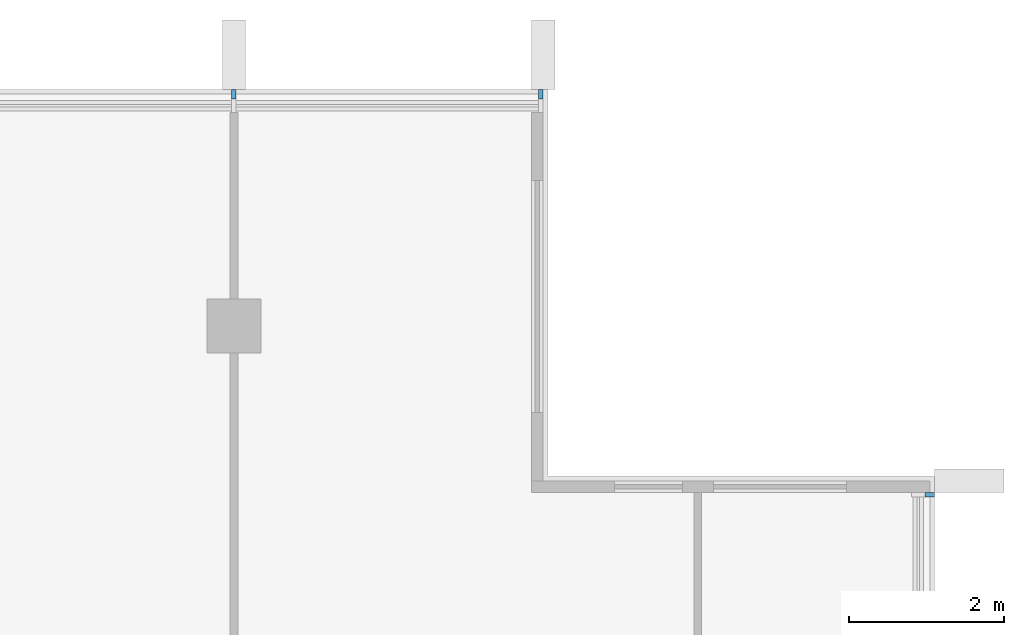
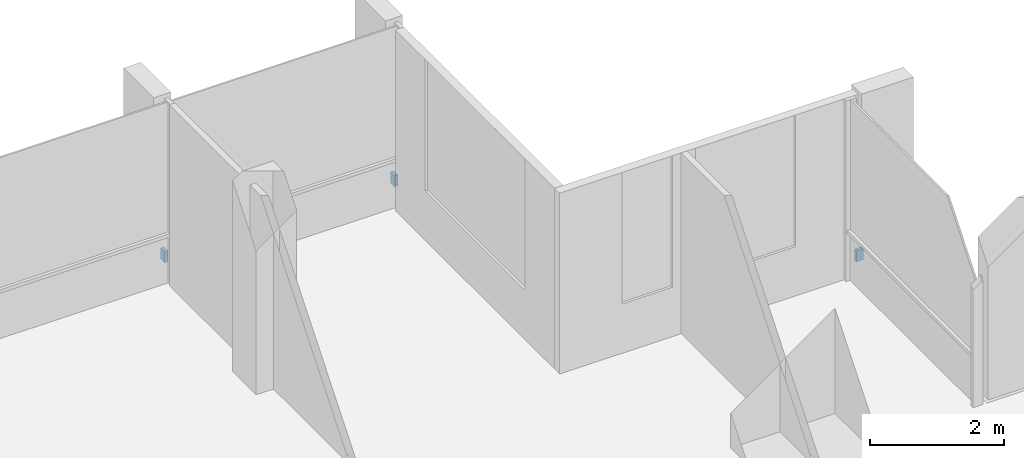
# One storey, part 14 of 15: 3 discrete accessories.
"""IFC4 building model written with IfcOpenShell, lengths in metres."""

from ifc_helpers import new_model, si_unit, direction, frame, origin, origin_2d, place, context, subcontext, project, spatial, rectangle, extrude, material, type_object, element, save


model = new_model("IFC4")

# Units and contexts
model_context = context("Model", 3, precision=1e-05, world=origin(), true_north=direction((0.0, 1.0)))
body_context = subcontext(model_context, "Body", "Model", "MODEL_VIEW")
ifc_project = project(units=[si_unit("LENGTHUNIT", "METRE"), si_unit("AREAUNIT", "SQUARE_METRE"), si_unit("VOLUMEUNIT", "CUBIC_METRE"), si_unit("PLANEANGLEUNIT", "RADIAN"), si_unit("MASSUNIT", "GRAM", prefix="KILO")], contexts=[model_context])

# Site, building, storey
site_placement = place(None, origin())
site = spatial("IfcSite", under=ifc_project, at=site_placement, CompositionType="ELEMENT")
building_placement = place(site_placement, origin())
building = spatial("IfcBuilding", under=site, at=building_placement, Name="Finial Court Residences", CompositionType="ELEMENT")
storey_placement = place(building_placement, frame((0.0, 0.0, 266.300048828125)))
storey = spatial("IfcBuildingStorey", under=building, at=storey_placement, Name="L67", CompositionType="ELEMENT", Elevation=266.300048828125)

# Discrete accessories
ifc_material = material(Name="Stainless steel 316", Category="steel")
discrete_accessory_type = type_object("IfcDiscreteAccessoryType", Name="Fin bracket, stainless steel 60 x 122 x 200", PredefinedType="BRACKET", material=ifc_material)
for number, where, z_axis, x_axis, name in (
    (1, (10.5, 16.498779296875, 0.2998046875), (0.0, 0.0, 1.0), (1.0, 0.0, 0.0), "E-L67-FIN-N5-BRK"),
    (2, (14.469970703125, 16.498779296875, 0.2998046875), (0.0, 0.0, 1.0), (1.0, 0.0, 0.0), "E-L67-FIN-N6-BRK"),
):
    element("IfcDiscreteAccessory", number, at=place(storey_placement, frame(where, z_axis=z_axis, x_axis=x_axis)), inside=storey, type_object=discrete_accessory_type, Name=name, PredefinedType="BRACKET", context=body_context, shape_type="SweptSolid", body=[
        extrude(rectangle(XDim=0.06005859375, YDim=0.12255859375, at=origin_2d()), origin(), (0.0, 0.0, 1.0), 0.199951171875),
    ])
discrete_accessory_placement = place(storey_placement, frame((19.498779296875, 11.320068359375, 0.2998046875), z_axis=(0.0, 0.0, 1.0), x_axis=(1.0, 0.0, 0.0)))
element("IfcDiscreteAccessory", 3, at=discrete_accessory_placement, inside=storey, type_object=discrete_accessory_type, Name="E-L67-FIN-E12-BRK", PredefinedType="BRACKET", context=body_context, shape_type="SweptSolid", body=[
    extrude(rectangle(XDim=0.12255859375, YDim=0.06005859375, at=origin_2d()), origin(), (0.0, 0.0, 1.0), 0.199951171875),
])

save(model, "model.ifc")
